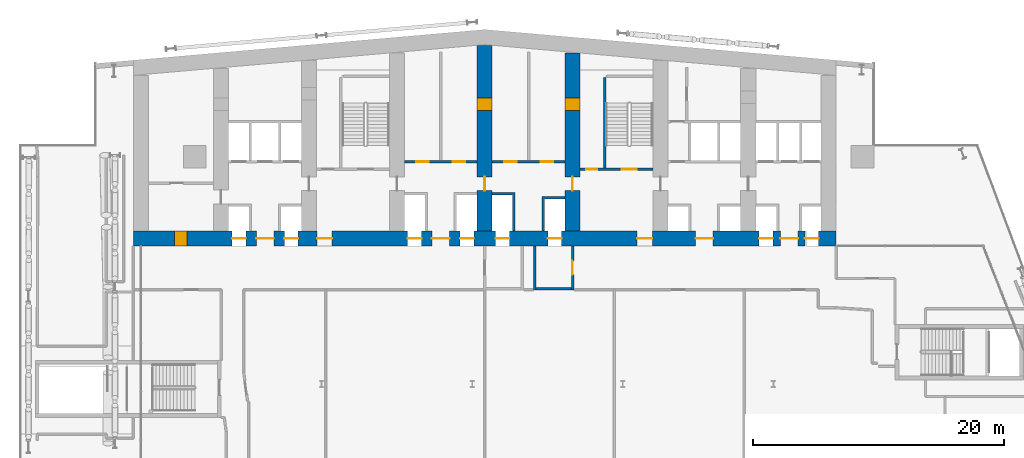
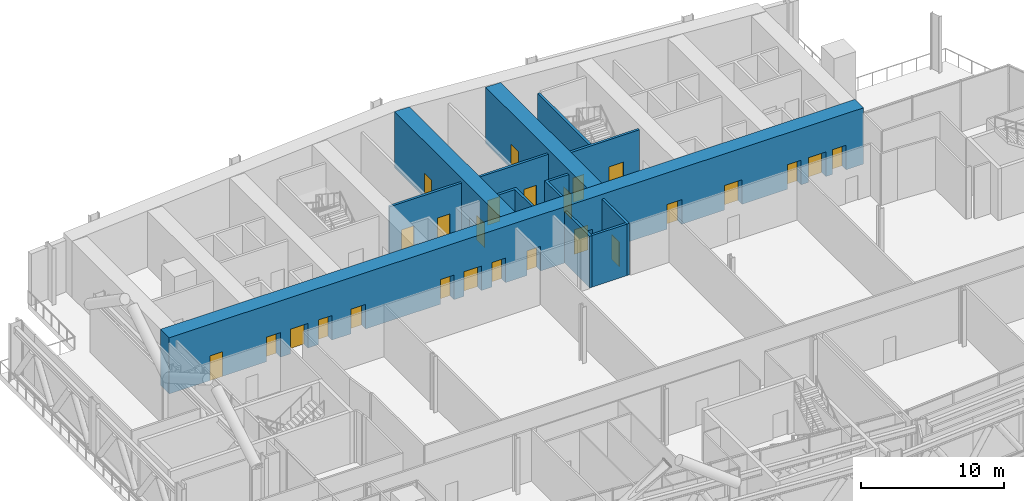
# One storey, part 20 of 39: 26 doors, 12 walls, 26 openings.
"""IFC4 building model written with IfcOpenShell, lengths in metres."""

from ifc_helpers import new_model, si_unit, direction, frame, frame_2d, origin, place, context, subcontext, project, spatial, polyline, rectangle, outline, extrude, material, layer, layer_set, type_object, element, fill, save


model = new_model("IFC4")

# Units and contexts
model_context = context("Model", 3, precision=1e-05, world=origin(), true_north=direction((0.0, 1.0)))
body_context = subcontext(model_context, "Body", "Model", "MODEL_VIEW")
ifc_project = project(units=[si_unit("LENGTHUNIT", "METRE"), si_unit("AREAUNIT", "SQUARE_METRE"), si_unit("VOLUMEUNIT", "CUBIC_METRE"), si_unit("PLANEANGLEUNIT", "RADIAN"), si_unit("MASSUNIT", "GRAM", prefix="KILO")], contexts=[model_context])

# Site, building, storey
site_placement = place(None, origin())
site = spatial("IfcSite", under=ifc_project, at=site_placement, CompositionType="ELEMENT")
building_placement = place(site_placement, origin())
building = spatial("IfcBuilding", under=site, at=building_placement, Name="Wharfspan Tower", CompositionType="ELEMENT")
storey_placement = place(building_placement, frame((0.0, 0.0, 91.899902)))
storey = spatial("IfcBuildingStorey", under=building, at=storey_placement, Name="L20", CompositionType="ELEMENT", Elevation=91.899902)

# Wall, openings, doors
ifc_material_1 = material(Name="Concrete C70/85", Category="concrete")
ifc_layer_1 = layer(ifc_material_1, 1.199951)
ifc_layer_set_1 = layer_set([ifc_layer_1], Name="Concrete C70/85")
wall_type_1 = type_object("IfcWallType", Name="Core wall 1200 C70/85", PredefinedType="SHEAR", material=ifc_layer_set_1)
wall_1_placement = place(storey_placement, frame((9.0, 34.600098, 0.0), z_axis=(0.0, 0.0, 1.0), x_axis=(1.0, 0.0, 0.0)))
wall_1 = element("IfcWall", 1, at=wall_1_placement, inside=storey, type_object=wall_type_1, Name="Core front wall L20", PredefinedType="SHEAR", context=body_context, shape_type="SweptSolid", body=[
    extrude(rectangle(XDim=56.0, YDim=1.199951, at=frame_2d((28.0, 0.0))), origin(), (0.0, 0.0, 1.0), 4.800049),
])
opening_1_placement = place(wall_1_placement, frame((3.300049, 0.0, 0.0)))
opening_1 = element("IfcOpeningElement", 2, at=opening_1_placement, cuts=wall_1, Name="Opening CD20.01", PredefinedType="OPENING", context=body_context, shape_type="SweptSolid", body=[
    extrude(rectangle(XDim=1.0, YDim=2.100098, at=frame_2d((0.5, 1.050049))), frame((0.0, 0.609863, 0.0), z_axis=(0.0, -1.0, 0.0), x_axis=(1.0, 0.0, 0.0)), (0.0, 0.0, 1.0), 1.219971),
])
opening_2_placement = place(wall_1_placement, frame((7.866699, 0.0, 0.0)))
opening_2 = element("IfcOpeningElement", 3, at=opening_2_placement, cuts=wall_1, Name="Opening LD.LA1.L20", PredefinedType="OPENING", context=body_context, shape_type="SweptSolid", body=[
    extrude(rectangle(XDim=1.100098, YDim=2.100098, at=frame_2d((0.550049, 1.050049))), frame((0.0, 0.609863, 0.0), z_axis=(0.0, -1.0, 0.0), x_axis=(1.0, 0.0, 0.0)), (0.0, 0.0, 1.0), 1.219971),
])
opening_3_placement = place(wall_1_placement, frame((12.033203, 0.0, 0.0)))
opening_3 = element("IfcOpeningElement", 4, at=opening_3_placement, cuts=wall_1, Name="Opening LD.LA2.L20", PredefinedType="OPENING", context=body_context, shape_type="SweptSolid", body=[
    extrude(rectangle(XDim=1.100098, YDim=2.100098, at=frame_2d((0.550049, 1.050049))), frame((0.0, 0.609863, 0.0), z_axis=(0.0, -1.0, 0.0), x_axis=(1.0, 0.0, 0.0)), (0.0, 0.0, 1.0), 1.219971),
])
opening_4_placement = place(wall_1_placement, frame((9.800049, 0.0, 0.0)))
opening_4 = element("IfcOpeningElement", 5, at=opening_4_placement, cuts=wall_1, Name="Opening HD20.1", PredefinedType="OPENING", context=body_context, shape_type="SweptSolid", body=[
    extrude(rectangle(XDim=1.399902, YDim=2.100098, at=frame_2d((0.699951, 1.050049))), frame((0.0, 0.609863, 0.0), z_axis=(0.0, -1.0, 0.0), x_axis=(1.0, 0.0, 0.0)), (0.0, 0.0, 1.0), 1.219971),
])
opening_5_placement = place(wall_1_placement, frame((14.649902, 0.0, 0.0)))
opening_5 = element("IfcOpeningElement", 6, at=opening_5_placement, cuts=wall_1, Name="Opening SV2.L20", PredefinedType="OPENING", context=body_context, shape_type="SweptSolid", body=[
    extrude(rectangle(XDim=1.199951, YDim=2.100098, at=frame_2d((0.600098, 1.050049))), frame((0.0, 0.609863, 0.0), z_axis=(0.0, -1.0, 0.0), x_axis=(1.0, 0.0, 0.0)), (0.0, 0.0, 1.0), 1.219971),
])
opening_6_placement = place(wall_1_placement, frame((21.866699, 0.0, 0.0)))
opening_6 = element("IfcOpeningElement", 7, at=opening_6_placement, cuts=wall_1, Name="Opening LD.SL1.L20", PredefinedType="OPENING", context=body_context, shape_type="SweptSolid", body=[
    extrude(rectangle(XDim=1.100098, YDim=2.100098, at=frame_2d((0.550049, 1.050049))), frame((0.0, 0.609863, 0.0), z_axis=(0.0, -1.0, 0.0), x_axis=(1.0, 0.0, 0.0)), (0.0, 0.0, 1.0), 1.219971),
])
opening_7_placement = place(wall_1_placement, frame((26.033203, 0.0, 0.0)))
opening_7 = element("IfcOpeningElement", 8, at=opening_7_placement, cuts=wall_1, Name="Opening LD.SL2.L20", PredefinedType="OPENING", context=body_context, shape_type="SweptSolid", body=[
    extrude(rectangle(XDim=1.100098, YDim=2.100098, at=frame_2d((0.550049, 1.050049))), frame((0.0, 0.609863, 0.0), z_axis=(0.0, -1.0, 0.0), x_axis=(1.0, 0.0, 0.0)), (0.0, 0.0, 1.0), 1.219971),
])
opening_8_placement = place(wall_1_placement, frame((23.800049, 0.0, 0.0)))
opening_8 = element("IfcOpeningElement", 9, at=opening_8_placement, cuts=wall_1, Name="Opening HD20.3", PredefinedType="OPENING", context=body_context, shape_type="SweptSolid", body=[
    extrude(rectangle(XDim=1.399902, YDim=2.100098, at=frame_2d((0.699951, 1.050049))), frame((0.0, 0.609863, 0.0), z_axis=(0.0, -1.0, 0.0), x_axis=(1.0, 0.0, 0.0)), (0.0, 0.0, 1.0), 1.219971),
])
opening_9_placement = place(wall_1_placement, frame((28.866699, 0.0, 0.0)))
opening_9 = element("IfcOpeningElement", 10, at=opening_9_placement, cuts=wall_1, Name="Opening LD.FF1.L20", PredefinedType="OPENING", context=body_context, shape_type="SweptSolid", body=[
    extrude(rectangle(XDim=1.100098, YDim=2.100098, at=frame_2d((0.550049, 1.050049))), frame((0.0, 0.609863, 0.0), z_axis=(0.0, -1.0, 0.0), x_axis=(1.0, 0.0, 0.0)), (0.0, 0.0, 1.0), 1.219971),
])
opening_10_placement = place(wall_1_placement, frame((33.033203, 0.0, 0.0)))
opening_10 = element("IfcOpeningElement", 11, at=opening_10_placement, cuts=wall_1, Name="Opening LD.FF2.L20", PredefinedType="OPENING", context=body_context, shape_type="SweptSolid", body=[
    extrude(rectangle(XDim=1.100098, YDim=2.100098, at=frame_2d((0.550049, 1.050049))), frame((0.0, 0.609863, 0.0), z_axis=(0.0, -1.0, 0.0), x_axis=(1.0, 0.0, 0.0)), (0.0, 0.0, 1.0), 1.219971),
])
opening_11_placement = place(wall_1_placement, frame((40.149902, 0.0, 0.0)))
opening_11 = element("IfcOpeningElement", 12, at=opening_11_placement, cuts=wall_1, Name="Opening SV5.L20", PredefinedType="OPENING", context=body_context, shape_type="SweptSolid", body=[
    extrude(rectangle(XDim=1.199951, YDim=2.100098, at=frame_2d((0.600098, 1.050049))), frame((0.0, 0.609863, 0.0), z_axis=(0.0, -1.0, 0.0), x_axis=(1.0, 0.0, 0.0)), (0.0, 0.0, 1.0), 1.219971),
])
opening_12_placement = place(wall_1_placement, frame((44.800049, 0.0, 0.0)))
opening_12 = element("IfcOpeningElement", 13, at=opening_12_placement, cuts=wall_1, Name="Opening HD20.6", PredefinedType="OPENING", context=body_context, shape_type="SweptSolid", body=[
    extrude(rectangle(XDim=1.399902, YDim=2.100098, at=frame_2d((0.699951, 1.050049))), frame((0.0, 0.609863, 0.0), z_axis=(0.0, -1.0, 0.0), x_axis=(1.0, 0.0, 0.0)), (0.0, 0.0, 1.0), 1.219971),
])
opening_13_placement = place(wall_1_placement, frame((49.866699, 0.0, 0.0)))
opening_13 = element("IfcOpeningElement", 14, at=opening_13_placement, cuts=wall_1, Name="Opening LD.LA6.L20", PredefinedType="OPENING", context=body_context, shape_type="SweptSolid", body=[
    extrude(rectangle(XDim=1.100098, YDim=2.100098, at=frame_2d((0.550049, 1.050049))), frame((0.0, 0.609863, 0.0), z_axis=(0.0, -1.0, 0.0), x_axis=(1.0, 0.0, 0.0)), (0.0, 0.0, 1.0), 1.219971),
])
opening_14_placement = place(wall_1_placement, frame((53.5, 0.0, 0.0)))
opening_14 = element("IfcOpeningElement", 15, at=opening_14_placement, cuts=wall_1, Name="Opening LD.LA7.L20", PredefinedType="OPENING", context=body_context, shape_type="SweptSolid", body=[
    extrude(rectangle(XDim=1.100098, YDim=2.100098, at=frame_2d((0.550049, 1.050049))), frame((0.0, 0.609863, 0.0), z_axis=(0.0, -1.0, 0.0), x_axis=(1.0, 0.0, 0.0)), (0.0, 0.0, 1.0), 1.219971),
])
opening_15_placement = place(wall_1_placement, frame((51.56665, 0.0, 0.0)))
opening_15 = element("IfcOpeningElement", 16, at=opening_15_placement, cuts=wall_1, Name="Opening HD20.7", PredefinedType="OPENING", context=body_context, shape_type="SweptSolid", body=[
    extrude(rectangle(XDim=1.399902, YDim=2.100098, at=frame_2d((0.699951, 1.050049))), frame((0.0, 0.609863, 0.0), z_axis=(0.0, -1.0, 0.0), x_axis=(1.0, 0.0, 0.0)), (0.0, 0.0, 1.0), 1.219971),
])
ifc_material_2 = material(Name="Steel door leaf", Category="steel")
door_type_1 = type_object("IfcDoorType", Name="Core room door 1000x2100", OperationType="SINGLE_SWING_LEFT", PredefinedType="DOOR", material=ifc_material_2)
door_1_placement = place(opening_1_placement, origin())
door_1 = element("IfcDoor", 17, at=door_1_placement, inside=storey, type_object=door_type_1, Name="d:L20:0:rf", OperationType="SINGLE_SWING_LEFT", OverallHeight=2.100098, OverallWidth=1.0, PredefinedType="DOOR", context=body_context, shape_type="SweptSolid", body=[
    extrude(rectangle(XDim=1.0, YDim=2.100098, at=frame_2d((0.5, 1.050049))), frame((0.0, 0.599609, 0.0), z_axis=(0.0, -1.0, 0.0), x_axis=(1.0, 0.0, 0.0)), (0.0, 0.0, 1.0), 1.199463),
])
fill(opening_1, door_1)
door_type_2 = type_object("IfcDoorType", Name="Hall entry door 1400x2100", OperationType="DOUBLE_DOOR_SINGLE_SWING", PredefinedType="DOOR", material=ifc_material_2)
door_2_placement = place(opening_4_placement, origin())
door_2 = element("IfcDoor", 18, at=door_2_placement, inside=storey, type_object=door_type_2, Name="d:L20:1:hd1", OperationType="DOUBLE_DOOR_SINGLE_SWING", OverallHeight=2.100098, OverallWidth=1.399902, PredefinedType="DOOR", context=body_context, shape_type="SweptSolid", body=[
    extrude(rectangle(XDim=1.399902, YDim=2.100098, at=frame_2d((0.699951, 1.050049))), frame((0.0, 0.024902, 0.0), z_axis=(0.0, -1.0, 0.0), x_axis=(1.0, 0.0, 0.0)), (0.0, 0.0, 1.0), 0.050049),
])
fill(opening_4, door_2)
door_3_placement = place(opening_8_placement, origin())
door_3 = element("IfcDoor", 19, at=door_3_placement, inside=storey, type_object=door_type_2, Name="d:L20:3:hd3", OperationType="DOUBLE_DOOR_SINGLE_SWING", OverallHeight=2.100098, OverallWidth=1.399902, PredefinedType="DOOR", context=body_context, shape_type="SweptSolid", body=[
    extrude(rectangle(XDim=1.399902, YDim=2.100098, at=frame_2d((0.699951, 1.050049))), frame((0.0, 0.024902, 0.0), z_axis=(0.0, -1.0, 0.0), x_axis=(1.0, 0.0, 0.0)), (0.0, 0.0, 1.0), 0.050049),
])
fill(opening_8, door_3)
door_4_placement = place(opening_12_placement, origin())
door_4 = element("IfcDoor", 20, at=door_4_placement, inside=storey, type_object=door_type_2, Name="d:L20:6:hd6", OperationType="DOUBLE_DOOR_SINGLE_SWING", OverallHeight=2.100098, OverallWidth=1.399902, PredefinedType="DOOR", context=body_context, shape_type="SweptSolid", body=[
    extrude(rectangle(XDim=1.399902, YDim=2.100098, at=frame_2d((0.699951, 1.050049))), frame((0.0, 0.024902, 0.0), z_axis=(0.0, -1.0, 0.0), x_axis=(1.0, 0.0, 0.0)), (0.0, 0.0, 1.0), 0.050049),
])
fill(opening_12, door_4)
door_5_placement = place(opening_15_placement, origin())
door_5 = element("IfcDoor", 21, at=door_5_placement, inside=storey, type_object=door_type_2, Name="d:L20:7:hd7", OperationType="DOUBLE_DOOR_SINGLE_SWING", OverallHeight=2.100098, OverallWidth=1.399902, PredefinedType="DOOR", context=body_context, shape_type="SweptSolid", body=[
    extrude(rectangle(XDim=1.399902, YDim=2.100098, at=frame_2d((0.699951, 1.050049))), frame((0.0, 0.024902, 0.0), z_axis=(0.0, -1.0, 0.0), x_axis=(1.0, 0.0, 0.0)), (0.0, 0.0, 1.0), 0.050049),
])
fill(opening_15, door_5)
ifc_material_3 = material(Name="Stainless steel", Category="steel")
door_type_3 = type_object("IfcDoorType", Name="Lift landing door 1100x2100", OperationType="DOUBLE_DOOR_SLIDING", PredefinedType="DOOR", material=ifc_material_3)
door_6_placement = place(opening_2_placement, origin())
door_6 = element("IfcDoor", 22, at=door_6_placement, inside=storey, type_object=door_type_3, Name="Landing door LA1 L20", OperationType="DOUBLE_DOOR_SLIDING", OverallHeight=2.100098, OverallWidth=1.100098, PredefinedType="DOOR", context=body_context, shape_type="SweptSolid", body=[
    extrude(rectangle(XDim=1.100098, YDim=2.100098, at=frame_2d((0.550049, 1.050049))), frame((0.0, 0.024902, 0.0), z_axis=(0.0, -1.0, 0.0), x_axis=(1.0, 0.0, 0.0)), (0.0, 0.0, 1.0), 0.050049),
])
fill(opening_2, door_6)
door_7_placement = place(opening_3_placement, origin())
door_7 = element("IfcDoor", 23, at=door_7_placement, inside=storey, type_object=door_type_3, Name="Landing door LA2 L20", OperationType="DOUBLE_DOOR_SLIDING", OverallHeight=2.100098, OverallWidth=1.100098, PredefinedType="DOOR", context=body_context, shape_type="SweptSolid", body=[
    extrude(rectangle(XDim=1.100098, YDim=2.100098, at=frame_2d((0.550049, 1.050049))), frame((0.0, 0.024902, 0.0), z_axis=(0.0, -1.0, 0.0), x_axis=(1.0, 0.0, 0.0)), (0.0, 0.0, 1.0), 0.050049),
])
fill(opening_3, door_7)
door_8_placement = place(opening_6_placement, origin())
door_8 = element("IfcDoor", 24, at=door_8_placement, inside=storey, type_object=door_type_3, Name="Landing door SL1 L20", OperationType="DOUBLE_DOOR_SLIDING", OverallHeight=2.100098, OverallWidth=1.100098, PredefinedType="DOOR", context=body_context, shape_type="SweptSolid", body=[
    extrude(rectangle(XDim=1.100098, YDim=2.100098, at=frame_2d((0.550049, 1.050049))), frame((0.0, 0.024902, 0.0), z_axis=(0.0, -1.0, 0.0), x_axis=(1.0, 0.0, 0.0)), (0.0, 0.0, 1.0), 0.050049),
])
fill(opening_6, door_8)
door_9_placement = place(opening_7_placement, origin())
door_9 = element("IfcDoor", 25, at=door_9_placement, inside=storey, type_object=door_type_3, Name="Landing door SL2 L20", OperationType="DOUBLE_DOOR_SLIDING", OverallHeight=2.100098, OverallWidth=1.100098, PredefinedType="DOOR", context=body_context, shape_type="SweptSolid", body=[
    extrude(rectangle(XDim=1.100098, YDim=2.100098, at=frame_2d((0.550049, 1.050049))), frame((0.0, 0.024902, 0.0), z_axis=(0.0, -1.0, 0.0), x_axis=(1.0, 0.0, 0.0)), (0.0, 0.0, 1.0), 0.050049),
])
fill(opening_7, door_9)
door_10_placement = place(opening_9_placement, origin())
door_10 = element("IfcDoor", 26, at=door_10_placement, inside=storey, type_object=door_type_3, Name="Landing door FF1 L20", OperationType="DOUBLE_DOOR_SLIDING", OverallHeight=2.100098, OverallWidth=1.100098, PredefinedType="DOOR", context=body_context, shape_type="SweptSolid", body=[
    extrude(rectangle(XDim=1.100098, YDim=2.100098, at=frame_2d((0.550049, 1.050049))), frame((0.0, 0.024902, 0.0), z_axis=(0.0, -1.0, 0.0), x_axis=(1.0, 0.0, 0.0)), (0.0, 0.0, 1.0), 0.050049),
])
fill(opening_9, door_10)
door_11_placement = place(opening_10_placement, origin())
door_11 = element("IfcDoor", 27, at=door_11_placement, inside=storey, type_object=door_type_3, Name="Landing door FF2 L20", OperationType="DOUBLE_DOOR_SLIDING", OverallHeight=2.100098, OverallWidth=1.100098, PredefinedType="DOOR", context=body_context, shape_type="SweptSolid", body=[
    extrude(rectangle(XDim=1.100098, YDim=2.100098, at=frame_2d((0.550049, 1.050049))), frame((0.0, 0.024902, 0.0), z_axis=(0.0, -1.0, 0.0), x_axis=(1.0, 0.0, 0.0)), (0.0, 0.0, 1.0), 0.050049),
])
fill(opening_10, door_11)
door_12_placement = place(opening_13_placement, origin())
door_12 = element("IfcDoor", 28, at=door_12_placement, inside=storey, type_object=door_type_3, Name="Landing door LA6 L20", OperationType="DOUBLE_DOOR_SLIDING", OverallHeight=2.100098, OverallWidth=1.100098, PredefinedType="DOOR", context=body_context, shape_type="SweptSolid", body=[
    extrude(rectangle(XDim=1.100098, YDim=2.100098, at=frame_2d((0.550049, 1.050049))), frame((0.0, 0.024902, 0.0), z_axis=(0.0, -1.0, 0.0), x_axis=(1.0, 0.0, 0.0)), (0.0, 0.0, 1.0), 0.050049),
])
fill(opening_13, door_12)
door_13_placement = place(opening_14_placement, origin())
door_13 = element("IfcDoor", 29, at=door_13_placement, inside=storey, type_object=door_type_3, Name="Landing door LA7 L20", OperationType="DOUBLE_DOOR_SLIDING", OverallHeight=2.100098, OverallWidth=1.100098, PredefinedType="DOOR", context=body_context, shape_type="SweptSolid", body=[
    extrude(rectangle(XDim=1.100098, YDim=2.100098, at=frame_2d((0.550049, 1.050049))), frame((0.0, 0.024902, 0.0), z_axis=(0.0, -1.0, 0.0), x_axis=(1.0, 0.0, 0.0)), (0.0, 0.0, 1.0), 0.050049),
])
fill(opening_14, door_13)
door_type_4 = type_object("IfcDoorType", Name="Stair door 1200x2100", OperationType="SINGLE_SWING_LEFT", PredefinedType="DOOR", material=ifc_material_2)
door_14_placement = place(opening_5_placement, origin())
door_14 = element("IfcDoor", 30, at=door_14_placement, inside=storey, type_object=door_type_4, Name="vd:L20:2", OperationType="SINGLE_SWING_LEFT", OverallHeight=2.100098, OverallWidth=1.199951, PredefinedType="DOOR", context=body_context, shape_type="SweptSolid", body=[
    extrude(rectangle(XDim=1.199951, YDim=2.100098, at=frame_2d((0.600098, 1.050049))), frame((0.0, 0.024902, 0.0), z_axis=(0.0, -1.0, 0.0), x_axis=(1.0, 0.0, 0.0)), (0.0, 0.0, 1.0), 0.050049),
])
fill(opening_5, door_14)
door_15_placement = place(opening_11_placement, origin())
door_15 = element("IfcDoor", 31, at=door_15_placement, inside=storey, type_object=door_type_4, Name="vd:L20:5", OperationType="SINGLE_SWING_LEFT", OverallHeight=2.100098, OverallWidth=1.199951, PredefinedType="DOOR", context=body_context, shape_type="SweptSolid", body=[
    extrude(rectangle(XDim=1.199951, YDim=2.100098, at=frame_2d((0.600098, 1.050049))), frame((0.0, 0.024902, 0.0), z_axis=(0.0, -1.0, 0.0), x_axis=(1.0, 0.0, 0.0)), (0.0, 0.0, 1.0), 0.050049),
])
fill(opening_11, door_15)

wall_2_placement = place(storey_placement, frame((37.0, 35.199951, 0.0), z_axis=(0.0, 0.0, 1.0), x_axis=(0.0, 1.0, 0.0)))
wall_2 = element("IfcWall", 32, at=wall_2_placement, inside=storey, type_object=wall_type_1, Name="Core cross wall X4 L20", PredefinedType="SHEAR", context=body_context, shape_type="SweptSolid", body=[
    extrude(rectangle(XDim=14.780029, YDim=1.199951, at=frame_2d((7.390137, 0.0))), origin(), (0.0, 0.0, 1.0), 4.800049),
])
opening_16_placement = place(wall_2_placement, frame((3.199951, 0.0, 0.0)))
opening_16 = element("IfcOpeningElement", 33, at=opening_16_placement, cuts=wall_2, Name="Opening CC20.4", PredefinedType="OPENING", context=body_context, shape_type="SweptSolid", body=[
    extrude(rectangle(XDim=1.100098, YDim=2.100098, at=frame_2d((0.550049, 1.050049))), frame((0.0, 0.609863, 0.0), z_axis=(0.0, -1.0, 0.0), x_axis=(1.0, 0.0, 0.0)), (0.0, 0.0, 1.0), 1.219971),
])
opening_17_placement = place(wall_2_placement, frame((9.600098, 0.0, 0.0)))
opening_17 = element("IfcOpeningElement", 34, at=opening_17_placement, cuts=wall_2, Name="Opening CR20.4", PredefinedType="OPENING", context=body_context, shape_type="SweptSolid", body=[
    extrude(rectangle(XDim=1.0, YDim=2.100098, at=frame_2d((0.5, 1.050049))), frame((0.0, 0.609863, 0.0), z_axis=(0.0, -1.0, 0.0), x_axis=(1.0, 0.0, 0.0)), (0.0, 0.0, 1.0), 1.219971),
])
door_type_5 = type_object("IfcDoorType", Name="Core corridor door 1100x2100", OperationType="SINGLE_SWING_LEFT", PredefinedType="DOOR", material=ifc_material_2)
door_16_placement = place(opening_16_placement, origin())
door_16 = element("IfcDoor", 35, at=door_16_placement, inside=storey, type_object=door_type_5, Name="xd:L20:4", OperationType="SINGLE_SWING_RIGHT", OverallHeight=2.100098, OverallWidth=1.100098, PredefinedType="DOOR", context=body_context, shape_type="SweptSolid", body=[
    extrude(rectangle(XDim=1.100098, YDim=2.100098, at=frame_2d((0.550049, 1.050049))), frame((0.0, 0.024902, 0.0), z_axis=(0.0, -1.0, 0.0), x_axis=(1.0, 0.0, 0.0)), (0.0, 0.0, 1.0), 0.050049),
])
fill(opening_16, door_16)
door_17_placement = place(opening_17_placement, origin())
door_17 = element("IfcDoor", 36, at=door_17_placement, inside=storey, type_object=door_type_1, Name="xr:L20:4", OperationType="SINGLE_SWING_RIGHT", OverallHeight=2.100098, OverallWidth=1.0, PredefinedType="DOOR", context=body_context, shape_type="SweptSolid", body=[
    extrude(rectangle(XDim=1.0, YDim=2.100098, at=frame_2d((0.5, 1.050049))), frame((0.0, 0.599609, 0.0), z_axis=(0.0, -1.0, 0.0), x_axis=(1.0, 0.0, 0.0)), (0.0, 0.0, 1.0), 1.199463),
])
fill(opening_17, door_17)

wall_3_placement = place(storey_placement, frame((44.0, 35.199951, 0.0), z_axis=(0.0, 0.0, 1.0), x_axis=(0.0, 1.0, 0.0)))
wall_3 = element("IfcWall", 37, at=wall_3_placement, inside=storey, type_object=wall_type_1, Name="Core cross wall X5 L20", PredefinedType="SHEAR", context=body_context, shape_type="SweptSolid", body=[
    extrude(rectangle(XDim=14.167725, YDim=1.199951, at=frame_2d((7.083984, 0.0))), origin(), (0.0, 0.0, 1.0), 4.800049),
])
opening_18_placement = place(wall_3_placement, frame((3.199951, 0.0, 0.0)))
opening_18 = element("IfcOpeningElement", 38, at=opening_18_placement, cuts=wall_3, Name="Opening CC20.5", PredefinedType="OPENING", context=body_context, shape_type="SweptSolid", body=[
    extrude(rectangle(XDim=1.100098, YDim=2.100098, at=frame_2d((0.550049, 1.050049))), frame((0.0, 0.609863, 0.0), z_axis=(0.0, -1.0, 0.0), x_axis=(1.0, 0.0, 0.0)), (0.0, 0.0, 1.0), 1.219971),
])
opening_19_placement = place(wall_3_placement, frame((9.600098, 0.0, 0.0)))
opening_19 = element("IfcOpeningElement", 39, at=opening_19_placement, cuts=wall_3, Name="Opening CR20.5", PredefinedType="OPENING", context=body_context, shape_type="SweptSolid", body=[
    extrude(rectangle(XDim=1.0, YDim=2.100098, at=frame_2d((0.5, 1.050049))), frame((0.0, 0.609863, 0.0), z_axis=(0.0, -1.0, 0.0), x_axis=(1.0, 0.0, 0.0)), (0.0, 0.0, 1.0), 1.219971),
])
door_18_placement = place(opening_18_placement, origin())
door_18 = element("IfcDoor", 40, at=door_18_placement, inside=storey, type_object=door_type_5, Name="xd:L20:5", OperationType="SINGLE_SWING_LEFT", OverallHeight=2.100098, OverallWidth=1.100098, PredefinedType="DOOR", context=body_context, shape_type="SweptSolid", body=[
    extrude(rectangle(XDim=1.100098, YDim=2.100098, at=frame_2d((0.550049, 1.050049))), frame((0.0, 0.024902, 0.0), z_axis=(0.0, -1.0, 0.0), x_axis=(1.0, 0.0, 0.0)), (0.0, 0.0, 1.0), 0.050049),
])
fill(opening_18, door_18)
door_19_placement = place(opening_19_placement, origin())
door_19 = element("IfcDoor", 41, at=door_19_placement, inside=storey, type_object=door_type_1, Name="xr:L20:5", OperationType="SINGLE_SWING_RIGHT", OverallHeight=2.100098, OverallWidth=1.0, PredefinedType="DOOR", context=body_context, shape_type="SweptSolid", body=[
    extrude(rectangle(XDim=1.0, YDim=2.100098, at=frame_2d((0.5, 1.050049))), frame((0.0, 0.599609, 0.0), z_axis=(0.0, -1.0, 0.0), x_axis=(1.0, 0.0, 0.0)), (0.0, 0.0, 1.0), 1.199463),
])
fill(opening_19, door_19)

ifc_material_4 = material(Name="Concrete C30/37", Category="concrete")
ifc_layer_2 = layer(ifc_material_4, 0.199951)
ifc_layer_set_2 = layer_set([ifc_layer_2], Name="Concrete C30/37")
wall_type_2 = type_object("IfcWallType", Name="Lift shaft wall 200", PredefinedType="PARTITIONING", material=ifc_layer_set_2)
wall_4_placement = place(storey_placement, frame((30.600098, 40.699951, 0.0), z_axis=(0.0, 0.0, 1.0), x_axis=(1.0, 0.0, 0.0)))
wall_4 = element("IfcWall", 42, at=wall_4_placement, inside=storey, type_object=wall_type_2, Name="sw:L20:RF3", PredefinedType="PARTITIONING", context=body_context, shape_type="SweptSolid", body=[
    extrude(rectangle(XDim=5.799805, YDim=0.199951, at=frame_2d((2.899902, 0.0))), origin(), (0.0, 0.0, 1.0), 4.400146),
])
opening_20_placement = place(wall_4_placement, frame((0.949951, 0.0, 0.0)))
opening_20 = element("IfcOpeningElement", 43, at=opening_20_placement, cuts=wall_4, Name="Opening CD20.3S", PredefinedType="OPENING", context=body_context, shape_type="SweptSolid", body=[
    extrude(rectangle(XDim=1.0, YDim=2.100098, at=frame_2d((0.5, 1.050049))), frame((0.0, 0.109863, 0.0), z_axis=(0.0, -1.0, 0.0), x_axis=(1.0, 0.0, 0.0)), (0.0, 0.0, 1.0), 0.219971),
])
opening_21_placement = place(wall_4_placement, frame((3.850098, 0.0, 0.0)))
opening_21 = element("IfcOpeningElement", 44, at=opening_21_placement, cuts=wall_4, Name="Opening CD20.3Sa", PredefinedType="OPENING", context=body_context, shape_type="SweptSolid", body=[
    extrude(rectangle(XDim=1.0, YDim=2.100098, at=frame_2d((0.5, 1.050049))), frame((0.0, 0.109863, 0.0), z_axis=(0.0, -1.0, 0.0), x_axis=(1.0, 0.0, 0.0)), (0.0, 0.0, 1.0), 0.219971),
])
door_20_placement = place(opening_20_placement, origin())
door_20 = element("IfcDoor", 45, at=door_20_placement, inside=storey, type_object=door_type_1, Name="d:L20:3:sf", OperationType="SINGLE_SWING_LEFT", OverallHeight=2.100098, OverallWidth=1.0, PredefinedType="DOOR", context=body_context, shape_type="SweptSolid", body=[
    extrude(rectangle(XDim=1.0, YDim=2.100098, at=frame_2d((0.5, 1.050049))), frame((0.0, 0.024902, 0.0), z_axis=(0.0, -1.0, 0.0), x_axis=(1.0, 0.0, 0.0)), (0.0, 0.0, 1.0), 0.050049),
])
fill(opening_20, door_20)
door_21_placement = place(opening_21_placement, origin())
door_21 = element("IfcDoor", 46, at=door_21_placement, inside=storey, type_object=door_type_1, Name="d:L20:3:sf1", OperationType="SINGLE_SWING_LEFT", OverallHeight=2.100098, OverallWidth=1.0, PredefinedType="DOOR", context=body_context, shape_type="SweptSolid", body=[
    extrude(rectangle(XDim=1.0, YDim=2.100098, at=frame_2d((0.5, 1.050049))), frame((0.0, 0.024902, 0.0), z_axis=(0.0, -1.0, 0.0), x_axis=(1.0, 0.0, 0.0)), (0.0, 0.0, 1.0), 0.050049),
])
fill(opening_21, door_21)

wall_5_placement = place(storey_placement, frame((37.600098, 40.699951, 0.0), z_axis=(0.0, 0.0, 1.0), x_axis=(1.0, 0.0, 0.0)))
wall_5 = element("IfcWall", 47, at=wall_5_placement, inside=storey, type_object=wall_type_2, Name="sw:L20:RF4", PredefinedType="PARTITIONING", context=body_context, shape_type="SweptSolid", body=[
    extrude(rectangle(XDim=5.799805, YDim=0.199951, at=frame_2d((2.899902, 0.0))), origin(), (0.0, 0.0, 1.0), 4.400146),
])
opening_22_placement = place(wall_5_placement, frame((0.949951, 0.0, 0.0)))
opening_22 = element("IfcOpeningElement", 48, at=opening_22_placement, cuts=wall_5, Name="Opening CD20.4S", PredefinedType="OPENING", context=body_context, shape_type="SweptSolid", body=[
    extrude(rectangle(XDim=1.0, YDim=2.100098, at=frame_2d((0.5, 1.050049))), frame((0.0, 0.109863, 0.0), z_axis=(0.0, -1.0, 0.0), x_axis=(1.0, 0.0, 0.0)), (0.0, 0.0, 1.0), 0.219971),
])
opening_23_placement = place(wall_5_placement, frame((3.850098, 0.0, 0.0)))
opening_23 = element("IfcOpeningElement", 49, at=opening_23_placement, cuts=wall_5, Name="Opening CD20.4Sa", PredefinedType="OPENING", context=body_context, shape_type="SweptSolid", body=[
    extrude(rectangle(XDim=1.0, YDim=2.100098, at=frame_2d((0.5, 1.050049))), frame((0.0, 0.109863, 0.0), z_axis=(0.0, -1.0, 0.0), x_axis=(1.0, 0.0, 0.0)), (0.0, 0.0, 1.0), 0.219971),
])
door_22_placement = place(opening_22_placement, origin())
door_22 = element("IfcDoor", 50, at=door_22_placement, inside=storey, type_object=door_type_1, Name="d:L20:4:sf", OperationType="SINGLE_SWING_LEFT", OverallHeight=2.100098, OverallWidth=1.0, PredefinedType="DOOR", context=body_context, shape_type="SweptSolid", body=[
    extrude(rectangle(XDim=1.0, YDim=2.100098, at=frame_2d((0.5, 1.050049))), frame((0.0, 0.024902, 0.0), z_axis=(0.0, -1.0, 0.0), x_axis=(1.0, 0.0, 0.0)), (0.0, 0.0, 1.0), 0.050049),
])
fill(opening_22, door_22)
door_23_placement = place(opening_23_placement, origin())
door_23 = element("IfcDoor", 51, at=door_23_placement, inside=storey, type_object=door_type_1, Name="d:L20:4:sf1", OperationType="SINGLE_SWING_LEFT", OverallHeight=2.100098, OverallWidth=1.0, PredefinedType="DOOR", context=body_context, shape_type="SweptSolid", body=[
    extrude(rectangle(XDim=1.0, YDim=2.100098, at=frame_2d((0.5, 1.050049))), frame((0.0, 0.024902, 0.0), z_axis=(0.0, -1.0, 0.0), x_axis=(1.0, 0.0, 0.0)), (0.0, 0.0, 1.0), 0.050049),
])
fill(opening_23, door_23)

# Walls
wall_6_placement = place(storey_placement, origin())
element("IfcWall", 52, at=wall_6_placement, inside=storey, type_object=wall_type_2, Name="sw:L20:FM4.0", PredefinedType="PARTITIONING", context=body_context, shape_type="SweptSolid", body=[
    extrude(outline(polyline([(41.56665, 37.949951), (41.766602, 37.949951), (43.399902, 37.949951), (43.399902, 37.75), (41.766602, 37.75), (41.766602, 35.199951), (41.56665, 35.199951), (41.56665, 37.949951)])), origin(), (0.0, 0.0, 1.0), 4.400146),
])
wall_7_placement = place(storey_placement, origin())
element("IfcWall", 53, at=wall_7_placement, inside=storey, type_object=wall_type_2, Name="sw:L20:FM4.1", PredefinedType="PARTITIONING", context=body_context, shape_type="SweptSolid", body=[
    extrude(outline(polyline([(39.233398, 38.050049), (37.600098, 38.050049), (37.600098, 38.25), (39.233398, 38.25), (39.43335, 38.25), (39.43335, 35.199951), (39.233398, 35.199951), (39.233398, 38.050049)])), origin(), (0.0, 0.0, 1.0), 4.400146),
])
ifc_layer_3 = layer(ifc_material_4, 0.199951)
ifc_layer_set_3 = layer_set([ifc_layer_3], Name="Concrete C30/37")
wall_type_3 = type_object("IfcWallType", Name="Lobby wall 200", PredefinedType="PARTITIONING", material=ifc_layer_set_3)
wall_8_placement = place(storey_placement, frame((41.0, 30.5, 0.0), z_axis=(0.0, 0.0, 1.0), x_axis=(0.0, 1.0, 0.0)))
element("IfcWall", 54, at=wall_8_placement, inside=storey, type_object=wall_type_3, Name="sw:L20:FLFF2W", PredefinedType="PARTITIONING", context=body_context, shape_type="SweptSolid", body=[
    extrude(rectangle(XDim=3.5, YDim=0.199951, at=frame_2d((1.75, 0.0))), origin(), (0.0, 0.0, 1.0), 4.400146),
])

# Wall, opening, door
wall_9_placement = place(storey_placement, frame((44.0, 30.5, 0.0), z_axis=(0.0, 0.0, 1.0), x_axis=(0.0, 1.0, 0.0)))
wall_9 = element("IfcWall", 55, at=wall_9_placement, inside=storey, type_object=wall_type_3, Name="sw:L20:FLFF2E", PredefinedType="PARTITIONING", context=body_context, shape_type="SweptSolid", body=[
    extrude(rectangle(XDim=3.5, YDim=0.199951, at=frame_2d((1.75, 0.0))), origin(), (0.0, 0.0, 1.0), 4.400146),
])
opening_24_placement = place(wall_9_placement, frame((1.199951, 0.0, 0.0)))
opening_24 = element("IfcOpeningElement", 56, at=opening_24_placement, cuts=wall_9, Name="Opening FL.FF2.L20", PredefinedType="OPENING", context=body_context, shape_type="SweptSolid", body=[
    extrude(rectangle(XDim=1.100098, YDim=2.100098, at=frame_2d((0.550049, 1.050049))), frame((0.0, 0.109863, 0.0), z_axis=(0.0, -1.0, 0.0), x_axis=(1.0, 0.0, 0.0)), (0.0, 0.0, 1.0), 0.219971),
])
door_type_6 = type_object("IfcDoorType", Name="Firefighting lobby door 1100x2100", OperationType="SINGLE_SWING_LEFT", PredefinedType="DOOR", material=ifc_material_2)
door_24_placement = place(opening_24_placement, origin())
door_24 = element("IfcDoor", 57, at=door_24_placement, inside=storey, type_object=door_type_6, Name="fd:L20:FF2", OperationType="SINGLE_SWING_LEFT", OverallHeight=2.100098, OverallWidth=1.100098, PredefinedType="DOOR", context=body_context, shape_type="SweptSolid", body=[
    extrude(rectangle(XDim=1.100098, YDim=2.100098, at=frame_2d((0.550049, 1.050049))), frame((0.0, 0.024902, 0.0), z_axis=(0.0, -1.0, 0.0), x_axis=(1.0, 0.0, 0.0)), (0.0, 0.0, 1.0), 0.050049),
])
fill(opening_24, door_24)

# Wall
wall_10_placement = place(storey_placement, frame((41.100098, 30.600098, 0.0), z_axis=(0.0, 0.0, 1.0), x_axis=(1.0, 0.0, 0.0)))
element("IfcWall", 58, at=wall_10_placement, inside=storey, type_object=wall_type_3, Name="sw:L20:FLFF2F", PredefinedType="PARTITIONING", context=body_context, shape_type="SweptSolid", body=[
    extrude(rectangle(XDim=2.799805, YDim=0.199951, at=frame_2d((1.399902, 0.0))), origin(), (0.0, 0.0, 1.0), 4.400146),
])

# Wall, openings, doors
ifc_material_5 = material(Name="Concrete C40/50", Category="concrete")
ifc_layer_4 = layer(ifc_material_5, 0.199951)
ifc_layer_set_4 = layer_set([ifc_layer_4], Name="Concrete C40/50")
wall_type_4 = type_object("IfcWallType", Name="Stair shaft wall 200", PredefinedType="SHEAR", material=ifc_layer_set_4)
wall_11_placement = place(storey_placement, frame((44.600098, 40.100098, 0.0), z_axis=(0.0, 0.0, 1.0), x_axis=(1.0, 0.0, 0.0)))
wall_11 = element("IfcWall", 59, at=wall_11_placement, inside=storey, type_object=wall_type_4, Name="ST2 stair enclosure wall L20", PredefinedType="SHEAR", context=body_context, shape_type="SweptSolid", body=[
    extrude(rectangle(XDim=5.799805, YDim=0.199951, at=frame_2d((2.899902, 0.0))), origin(), (0.0, 0.0, 1.0), 4.400146),
])
opening_25_placement = place(wall_11_placement, frame((3.324951, 0.0, 0.0)))
opening_25 = element("IfcOpeningElement", 60, at=opening_25_placement, cuts=wall_11, Name="Opening SD5.L20", PredefinedType="OPENING", context=body_context, shape_type="SweptSolid", body=[
    extrude(rectangle(XDim=1.199951, YDim=2.100098, at=frame_2d((0.600098, 1.050049))), frame((0.0, 0.109863, 0.0), z_axis=(0.0, -1.0, 0.0), x_axis=(1.0, 0.0, 0.0)), (0.0, 0.0, 1.0), 0.219971),
])
opening_26_placement = place(wall_11_placement, frame((0.475098, 0.0, 0.0)))
opening_26 = element("IfcOpeningElement", 61, at=opening_26_placement, cuts=wall_11, Name="Opening CD20.5R", PredefinedType="OPENING", context=body_context, shape_type="SweptSolid", body=[
    extrude(rectangle(XDim=0.899902, YDim=2.100098, at=frame_2d((0.449951, 1.050049))), frame((0.0, 0.109863, 0.0), z_axis=(0.0, -1.0, 0.0), x_axis=(1.0, 0.0, 0.0)), (0.0, 0.0, 1.0), 0.219971),
])
door_25_placement = place(opening_26_placement, origin())
door_25 = element("IfcDoor", 62, at=door_25_placement, inside=storey, type_object=door_type_1, Name="rk:L20:5", OperationType="SINGLE_SWING_LEFT", OverallHeight=2.100098, OverallWidth=0.899902, PredefinedType="DOOR", context=body_context, shape_type="SweptSolid", body=[
    extrude(rectangle(XDim=0.899902, YDim=2.100098, at=frame_2d((0.449951, 1.050049))), frame((0.0, 0.024902, 0.0), z_axis=(0.0, -1.0, 0.0), x_axis=(1.0, 0.0, 0.0)), (0.0, 0.0, 1.0), 0.050049),
])
fill(opening_26, door_25)
door_26_placement = place(opening_25_placement, origin())
door_26 = element("IfcDoor", 63, at=door_26_placement, inside=storey, type_object=door_type_4, Name="sd:L20:5", OperationType="SINGLE_SWING_RIGHT", OverallHeight=2.100098, OverallWidth=1.199951, PredefinedType="DOOR", context=body_context, shape_type="SweptSolid", body=[
    extrude(rectangle(XDim=1.199951, YDim=2.100098, at=frame_2d((0.600098, 1.050049))), frame((0.0, 0.024902, 0.0), z_axis=(0.0, -1.0, 0.0), x_axis=(1.0, 0.0, 0.0)), (0.0, 0.0, 1.0), 0.050049),
])
fill(opening_25, door_26)

# Wall
wall_12_placement = place(storey_placement, frame((46.550049, 40.199951, 0.0), z_axis=(0.0, 0.0, 1.0), x_axis=(0.0, 1.0, 0.0)))
element("IfcWall", 64, at=wall_12_placement, inside=storey, type_object=wall_type_4, Name="ST2 stair enclosure wall L20", PredefinedType="SHEAR", context=body_context, shape_type="SweptSolid", body=[
    extrude(rectangle(XDim=7.199951, YDim=0.199951, at=frame_2d((3.600098, 0.0))), origin(), (0.0, 0.0, 1.0), 4.400146),
])

save(model, "model.ifc")
